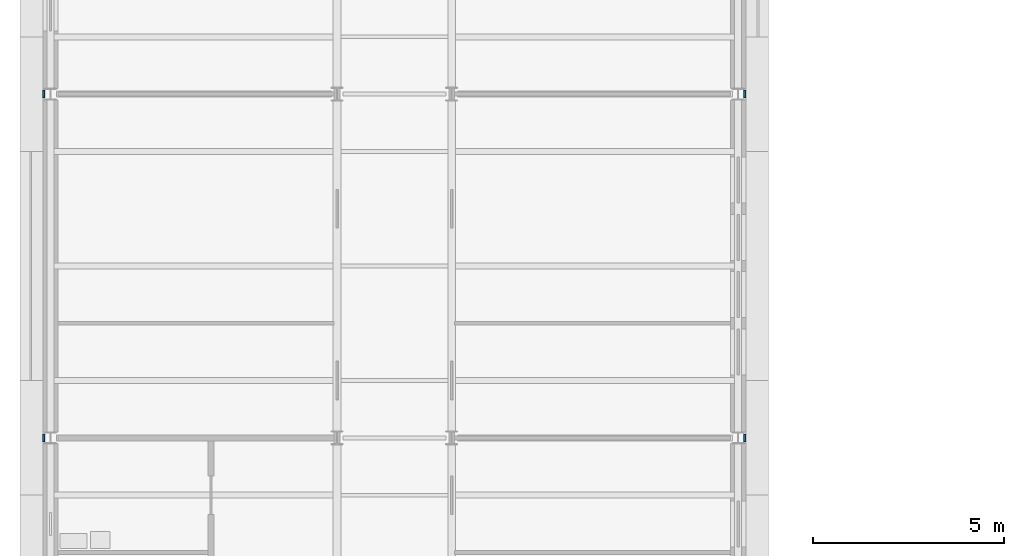
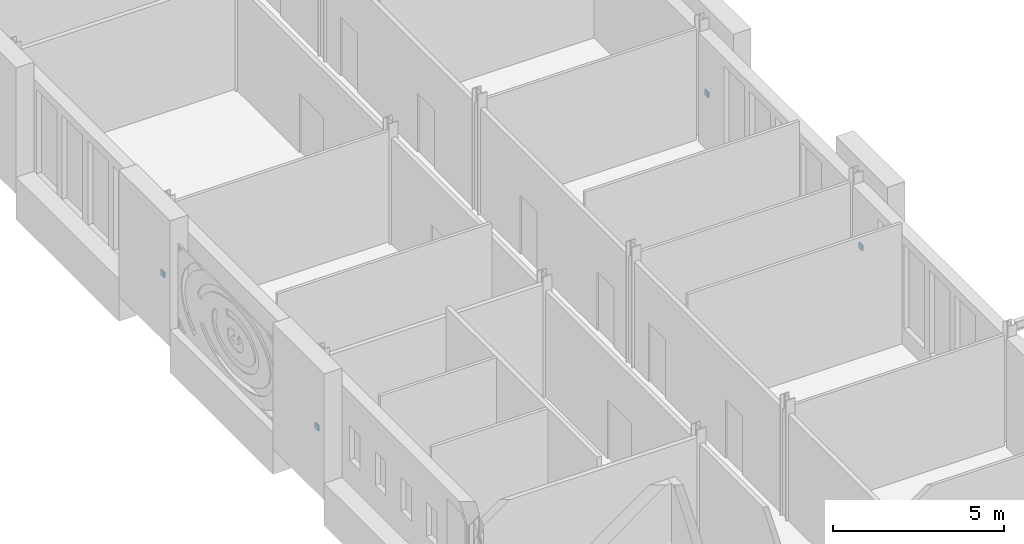
# One storey, part 97 of 134: 4 discrete accessories.
"""IFC4 building model written with IfcOpenShell, lengths in metres."""

from ifc_helpers import new_model, si_unit, direction, frame, origin, origin_2d, place, context, subcontext, project, spatial, rectangle, extrude, material, type_object, element, save


model = new_model("IFC4")

# Units and contexts
model_context = context("Model", 3, precision=1e-05, world=origin(), true_north=direction((0.0, 1.0)))
body_context = subcontext(model_context, "Body", "Model", "MODEL_VIEW")
ifc_project = project(units=[si_unit("LENGTHUNIT", "METRE"), si_unit("AREAUNIT", "SQUARE_METRE"), si_unit("VOLUMEUNIT", "CUBIC_METRE"), si_unit("PLANEANGLEUNIT", "RADIAN"), si_unit("MASSUNIT", "GRAM", prefix="KILO")], contexts=[model_context])

# Site, building, storey
site_placement = place(None, origin())
site = spatial("IfcSite", under=ifc_project, at=site_placement, CompositionType="ELEMENT")
building_placement = place(site_placement, origin())
building = spatial("IfcBuilding", under=site, at=building_placement, Name="Golden Quay Civic Hall", CompositionType="ELEMENT")
storey_placement = place(building_placement, frame((0.0, 0.0, 5.39990234375)))
storey = spatial("IfcBuildingStorey", under=building, at=storey_placement, Name="L01", CompositionType="ELEMENT", Elevation=5.39990234375)

# Discrete accessories
ifc_material = material(Name="Steel S355", Category="steel")
discrete_accessory_type = type_object("IfcDiscreteAccessoryType", Name="Pier fixing bracket 200 x 200", PredefinedType="BRACKET", material=ifc_material)
for number, where, z_axis, x_axis, name in (
    (1, (-0.175048828125, 9.0, 1.39990234375), (0.0, 0.0, 1.0), (0.0, -1.0, 0.0), "Pier fixing bracket 200 x 200 L01 1"),
    (2, (-0.175048828125, 18.0, 1.39990234375), (0.0, 0.0, 1.0), (0.0, -1.0, 0.0), "Pier fixing bracket 200 x 200 L01 2"),
    (3, (18.175048828125, 9.0, 1.39990234375), (0.0, 0.0, 1.0), (0.0, 1.0, 0.0), "Pier fixing bracket 200 x 200 L01 8"),
    (4, (18.175048828125, 18.0, 1.39990234375), (0.0, 0.0, 1.0), (0.0, 1.0, 0.0), "Pier fixing bracket 200 x 200 L01 9"),
):
    element("IfcDiscreteAccessory", number, at=place(storey_placement, frame(where, z_axis=z_axis, x_axis=x_axis)), inside=storey, type_object=discrete_accessory_type, Name=name, PredefinedType="BRACKET", context=body_context, shape_type="SweptSolid", body=[
        extrude(rectangle(XDim=0.199951171875, YDim=0.050048828125, at=origin_2d()), origin(), (0.0, 0.0, 1.0), 0.199951171875),
    ])

save(model, "model.ifc")
